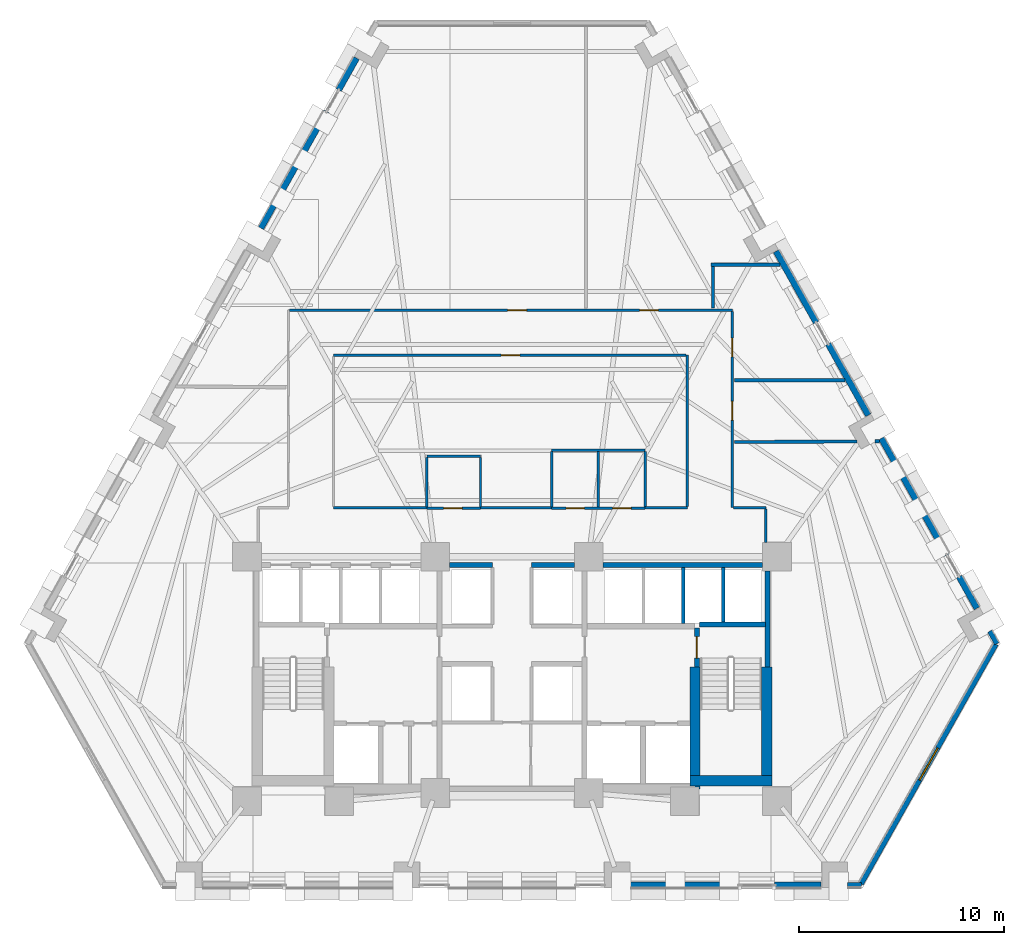
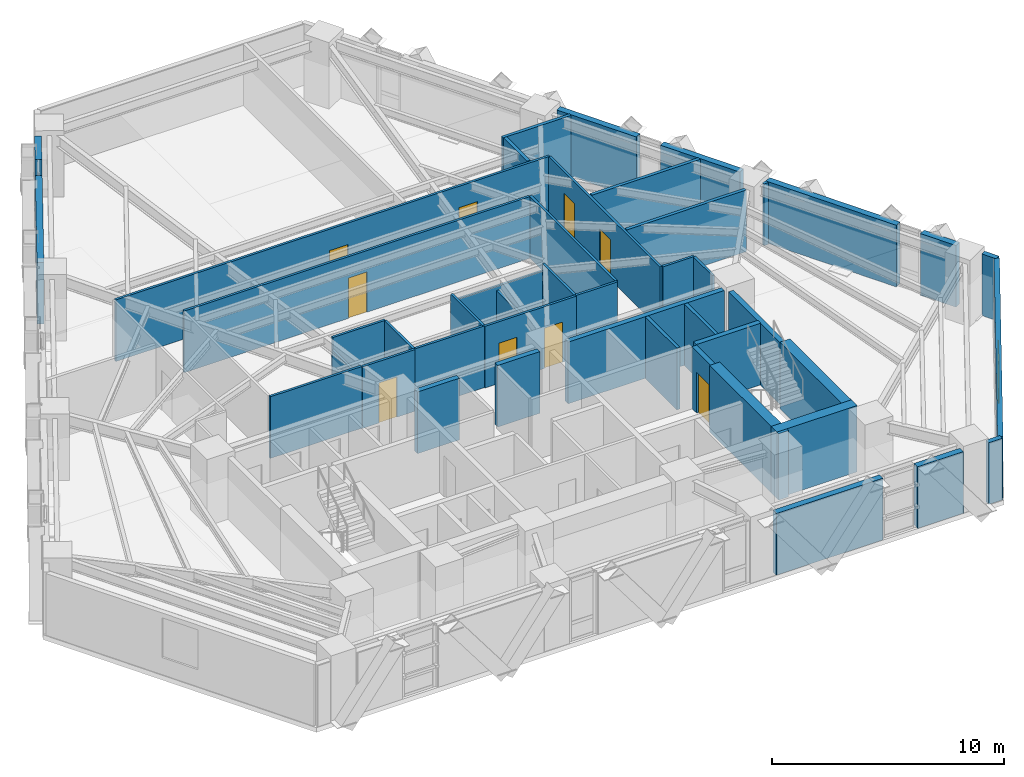
# One storey, part 8 of 13: 45 walls, 9 doors, 1 window, 10 openings.
"""IFC4 building model written with IfcOpenShell, lengths in metres."""

from ifc_helpers import new_model, si_unit, direction, frame, frame_2d, origin, place, context, subcontext, project, spatial, rectangle, extrude, material, layer, layer_set, type_object, element, fill, save


model = new_model("IFC4")

# Units and contexts
model_context = context("Model", 3, precision=1e-05, world=origin(), true_north=direction((0.0, 1.0)))
body_context = subcontext(model_context, "Body", "Model", "MODEL_VIEW")
ifc_project = project(units=[si_unit("LENGTHUNIT", "METRE"), si_unit("AREAUNIT", "SQUARE_METRE"), si_unit("VOLUMEUNIT", "CUBIC_METRE"), si_unit("PLANEANGLEUNIT", "RADIAN"), si_unit("MASSUNIT", "GRAM", prefix="KILO")], contexts=[model_context])

# Site, building, storey
site_placement = place(None, origin())
site = spatial("IfcSite", under=ifc_project, at=site_placement, CompositionType="ELEMENT")
building_placement = place(site_placement, origin())
building = spatial("IfcBuilding", under=site, at=building_placement, Name="Quenlor Broadcast Tower", CompositionType="ELEMENT")
storey_placement = place(building_placement, frame((0.0, 0.0, 48.60009765625)))
storey = spatial("IfcBuildingStorey", under=building, at=storey_placement, Name="L12", CompositionType="ELEMENT", Elevation=48.60009765625)

# Walls
ifc_material_1 = material(Name="Concrete C65/80", Category="concrete")
ifc_layer_1 = layer(ifc_material_1, 0.5)
ifc_layer_set_1 = layer_set([ifc_layer_1], Name="Core Concrete C65/80 Shear Wall 500")
wall_type_1 = type_object("IfcWallType", Name="Core Concrete C65/80 Shear Wall 500", PredefinedType="SHEAR", material=ifc_layer_set_1)
wall_1_placement = place(storey_placement, frame((8.699951171875, -15.75, 0.0), z_axis=(0.0, 0.0, 1.0), x_axis=(1.0, 0.0, 0.0)))
element("IfcWall", 1, at=wall_1_placement, inside=storey, type_object=wall_type_1, Name="L12 Core Shear Wall WS-E2", PredefinedType="SHEAR", context=body_context, shape_type="SweptSolid", body=[
    extrude(rectangle(XDim=4.0, YDim=0.5, at=frame_2d((2.0, 0.0))), origin(), (0.0, 0.0, 1.0), 3.5),
])
wall_2_placement = place(storey_placement, frame((12.449951171875, -15.75, 0.0), z_axis=(0.0, 0.0, 1.0), x_axis=(0.0, 1.0, 0.0)))
element("IfcWall", 2, at=wall_2_placement, inside=storey, type_object=wall_type_1, Name="L12 Core Shear Wall WF-E", PredefinedType="SHEAR", context=body_context, shape_type="SweptSolid", body=[
    extrude(rectangle(XDim=5.550048828125, YDim=0.5, at=frame_2d((2.77490234375, 0.0))), origin(), (0.0, 0.0, 1.0), 3.5),
])
wall_3_placement = place(storey_placement, frame((8.949951171875, -16.14990234375, 0.0), z_axis=(0.0, 0.0, 1.0), x_axis=(0.0, 1.0, 0.0)))
element("IfcWall", 3, at=wall_3_placement, inside=storey, type_object=wall_type_1, Name="L12 Core Shear Wall WI-E", PredefinedType="SHEAR", context=body_context, shape_type="SweptSolid", body=[
    extrude(rectangle(XDim=5.949951171875, YDim=0.5, at=frame_2d((2.97509765625, 0.0))), origin(), (0.0, 0.0, 1.0), 3.5),
])

# Wall, opening, door
ifc_material_2 = material(Name="Concrete C40/50", Category="concrete")
ifc_layer_2 = layer(ifc_material_2, 0.25)
ifc_layer_set_2 = layer_set([ifc_layer_2], Name="Fire Rated Concrete C40/50 Core Wall 250")
wall_type_2 = type_object("IfcWallType", Name="Fire Rated Concrete C40/50 Core Wall 250", PredefinedType="PARTITIONING", material=ifc_layer_set_2)
wall_4_placement = place(storey_placement, frame((9.0400390625, -10.179931640625, 0.0), z_axis=(0.0, 0.0, 1.0), x_axis=(0.0, 1.0, 0.0)))
wall_4 = element("IfcWall", 4, at=wall_4_placement, inside=storey, type_object=wall_type_2, Name="L12 Interior Wall CW-ST2-DR", PredefinedType="PARTITIONING", context=body_context, shape_type="SweptSolid", body=[
    extrude(rectangle(XDim=1.89990234375, YDim=0.25, at=frame_2d((0.949951171875, 0.0))), origin(), (0.0, 0.0, 1.0), 3.25),
])
opening_1_placement = place(wall_4_placement, frame((0.419921875, 0.0, 0.0)))
opening_1 = element("IfcOpeningElement", 5, at=opening_1_placement, cuts=wall_4, Name="Opening FD-1", PredefinedType="OPENING", context=body_context, shape_type="SweptSolid", body=[
    extrude(rectangle(XDim=1.050048828125, YDim=2.14990234375, at=frame_2d((0.52490234375, 1.074951171875))), frame((0.0, 0.135009765625, 0.0), z_axis=(0.0, -1.0, 0.0), x_axis=(1.0, 0.0, 0.0)), (0.0, 0.0, 1.0), 0.27001953125),
])
ifc_material_3 = material(Name="Fire Rated Steel Door Leaf", Category="steel")
door_type_1 = type_object("IfcDoorType", Name="Fire Isolated Stair Door 1050x2150", OperationType="NOTDEFINED", PredefinedType="DOOR", material=ifc_material_3)
door_1_placement = place(opening_1_placement, origin())
door_1 = element("IfcDoor", 6, at=door_1_placement, inside=storey, type_object=door_type_1, Name="L12 Door DR-ST2", OperationType="SINGLE_SWING_RIGHT", OverallHeight=2.14990234375, OverallWidth=1.050048828125, PredefinedType="DOOR", context=body_context, shape_type="SweptSolid", body=[
    extrude(rectangle(XDim=1.050048828125, YDim=2.14990234375, at=frame_2d((0.52490234375, 1.074951171875))), frame((0.0, 0.02490234375, 0.0), z_axis=(0.0, -1.0, 0.0), x_axis=(1.0, 0.0, 0.0)), (0.0, 0.0, 1.0), 0.050048828125),
])
fill(opening_1, door_1)

# Walls
wall_5_placement = place(storey_placement, frame((9.159912109375, -8.1201171875, 0.0), z_axis=(0.0, 0.0, 1.0), x_axis=(1.0, 0.0, 0.0)))
element("IfcWall", 7, at=wall_5_placement, inside=storey, type_object=wall_type_2, Name="L12 Interior Wall CW-ST2-N", PredefinedType="PARTITIONING", context=body_context, shape_type="SweptSolid", body=[
    extrude(rectangle(XDim=3.219970703125, YDim=0.25, at=frame_2d((1.60986328125, 0.0))), origin(), (0.0, 0.0, 1.0), 3.25),
])
wall_6_placement = place(storey_placement, frame((12.47998046875, -10.179931640625, 0.0), z_axis=(0.0, 0.0, 1.0), x_axis=(0.0, 1.0, 0.0)))
element("IfcWall", 8, at=wall_6_placement, inside=storey, type_object=wall_type_2, Name="L12 Interior Wall CW-ST2-E2", PredefinedType="PARTITIONING", context=body_context, shape_type="SweptSolid", body=[
    extrude(rectangle(XDim=4.677978515625, YDim=0.25, at=frame_2d((2.3388671875, 0.0))), origin(), (0.0, 0.0, 1.0), 3.25),
])
wall_7_placement = place(storey_placement, frame((4.451904296875, -5.199951171875, 0.0), z_axis=(0.0, 0.0, 1.0), x_axis=(1.0, 0.0, 0.0)))
element("IfcWall", 9, at=wall_7_placement, inside=storey, type_object=wall_type_2, Name="L12 Interior Wall CW-N-E", PredefinedType="PARTITIONING", context=body_context, shape_type="SweptSolid", body=[
    extrude(rectangle(XDim=7.796142578125, YDim=0.25, at=frame_2d((3.89794921875, 0.0))), origin(), (0.0, 0.0, 1.0), 3.25),
])
for number, where, z_axis, x_axis, name in (
    (10, (-3.048095703125, -5.199951171875, 0.0), (0.0, 0.0, 1.0), (1.0, 0.0, 0.0), "L12 Interior Wall CW-N-M1"),
    (11, (0.949951171875, -5.199951171875, 0.0), (0.0, 0.0, 1.0), (1.0, 0.0, 0.0), "L12 Interior Wall CW-N-M2"),
):
    element("IfcWall", number, at=place(storey_placement, frame(where, z_axis=z_axis, x_axis=x_axis)), inside=storey, type_object=wall_type_2, Name=name, PredefinedType="PARTITIONING", context=body_context, shape_type="SweptSolid", body=[
        extrude(rectangle(XDim=2.09814453125, YDim=0.25, at=frame_2d((1.049072265625, 0.0))), origin(), (0.0, 0.0, 1.0), 3.25),
    ])
ifc_material_4 = material(Name="Gypsum Fireboard Partition", Category="other")
ifc_layer_3 = layer(ifc_material_4, 0.159912109375)
ifc_layer_set_3 = layer_set([ifc_layer_3], Name="Fire Rated Shaft and Corridor Partition 160")
wall_type_3 = type_object("IfcWallType", Name="Fire Rated Shaft and Corridor Partition 160", PredefinedType="PARTITIONING", material=ifc_layer_set_3)
wall_8_placement = place(storey_placement, frame((8.375, -8.072998046875, 0.0), z_axis=(0.0, 0.0, 1.0), x_axis=(0.0, 1.0, 0.0)))
element("IfcWall", 12, at=wall_8_placement, inside=storey, type_object=wall_type_3, Name="L12 Interior Wall CW-PLH-D2", PredefinedType="PARTITIONING", context=body_context, shape_type="SweptSolid", body=[
    extrude(rectangle(XDim=2.73291015625, YDim=0.159912109375, at=frame_2d((1.366455078125, 0.0))), origin(), (0.0, 0.0, 1.0), 3.25),
])
wall_9_placement = place(storey_placement, frame((10.324951171875, -7.992919921875, 0.0), z_axis=(0.0, 0.0, 1.0), x_axis=(0.0, 1.0, 0.0)))
element("IfcWall", 13, at=wall_9_placement, inside=storey, type_object=wall_type_3, Name="L12 Interior Wall CW-PLH-D3", PredefinedType="PARTITIONING", context=body_context, shape_type="SweptSolid", body=[
    extrude(rectangle(XDim=2.65283203125, YDim=0.159912109375, at=frame_2d((1.326416015625, 0.0))), origin(), (0.0, 0.0, 1.0), 3.25),
])
wall_10_placement = place(storey_placement, frame((13.102783203125, 9.4697265625, 0.0), z_axis=(0.0, 0.0, 1.0), x_axis=(-0.999999333295, 0.001154733641, 0.0)))
element("IfcWall", 14, at=wall_10_placement, inside=storey, type_object=wall_type_3, Name="L12 Interior Wall PW-DV-02", PredefinedType="PARTITIONING", context=body_context, shape_type="SweptSolid", body=[
    extrude(rectangle(XDim=3.3828125, YDim=0.159912109375, at=frame_2d((1.69140625, 0.0))), origin(), (0.0, 0.0, 1.0), 3.25),
])
wall_11_placement = place(storey_placement, frame((9.820068359375, 9.3916015625, 0.0), z_axis=(0.0, 0.0, 1.0), x_axis=(0.0, -1.0, 0.0)))
element("IfcWall", 15, at=wall_11_placement, inside=storey, type_object=wall_type_3, Name="L12 Interior Wall PW-DV-03", PredefinedType="PARTITIONING", context=body_context, shape_type="SweptSolid", body=[
    extrude(rectangle(XDim=2.031494140625, YDim=0.159912109375, at=frame_2d((1.015625, 0.0))), origin(), (0.0, 0.0, 1.0), 3.25),
])
wall_12_placement = place(storey_placement, frame((16.28076171875, 3.820068359375, 0.0), z_axis=(0.0, 0.0, 1.0), x_axis=(-1.0, 0.0, 0.0)))
element("IfcWall", 16, at=wall_12_placement, inside=storey, type_object=wall_type_3, Name="L12 Interior Wall PW-DV-05", PredefinedType="PARTITIONING", context=body_context, shape_type="SweptSolid", body=[
    extrude(rectangle(XDim=5.395751953125, YDim=0.159912109375, at=frame_2d((2.69775390625, 0.0))), origin(), (0.0, 0.0, 1.0), 3.25),
])
wall_13_placement = place(storey_placement, frame((17.95751953125, 0.83935546875, 0.0), z_axis=(0.0, 0.0, 1.0), x_axis=(-0.999984076732, -0.005643250997, 0.0)))
element("IfcWall", 17, at=wall_13_placement, inside=storey, type_object=wall_type_3, Name="L12 Interior Wall PW-DV-06", PredefinedType="PARTITIONING", context=body_context, shape_type="SweptSolid", body=[
    extrude(rectangle(XDim=0.21630859375, YDim=0.159912109375, at=frame_2d((0.108154296875, 0.0))), origin(), (0.0, 0.0, 1.0), 3.25),
])
wall_14_placement = place(storey_placement, frame((16.853515625, 0.83349609375, 0.0), z_axis=(0.0, 0.0, 1.0), x_axis=(-0.999984753279, -0.005522065762, 0.0)))
element("IfcWall", 18, at=wall_14_placement, inside=storey, type_object=wall_type_3, Name="L12 Interior Wall PW-DV-06S2", PredefinedType="PARTITIONING", context=body_context, shape_type="SweptSolid", body=[
    extrude(rectangle(XDim=5.968505859375, YDim=0.159912109375, at=frame_2d((2.984375, 0.0))), origin(), (0.0, 0.0, 1.0), 3.25),
])

# Wall, opening, door
ifc_material_5 = material(Name="Gypsum Plasterboard Partition", Category="other")
ifc_layer_4 = layer(ifc_material_5, 0.1201171875)
ifc_layer_set_4 = layer_set([ifc_layer_4], Name="Standard Office Partition 120")
wall_type_4 = type_object("IfcWallType", Name="Standard Office Partition 120", PredefinedType="PARTITIONING", material=ifc_layer_set_4)
wall_15_placement = place(storey_placement, frame((-4.159912109375, -2.43994140625, 0.0), z_axis=(0.0, 0.0, 1.0), x_axis=(1.0, 0.0, 0.0)))
wall_15 = element("IfcWall", 19, at=wall_15_placement, inside=storey, type_object=wall_type_4, Name="L12 Interior Wall PW-AWC-S", PredefinedType="PARTITIONING", context=body_context, shape_type="SweptSolid", body=[
    extrude(rectangle(XDim=2.619873046875, YDim=0.1201171875, at=frame_2d((1.31005859375, 0.0))), origin(), (0.0, 0.0, 1.0), 3.25),
])
opening_2_placement = place(wall_15_placement, frame((0.820068359375, 0.0, 0.0)))
opening_2 = element("IfcOpeningElement", 20, at=opening_2_placement, cuts=wall_15, Name="Opening ID-3", PredefinedType="OPENING", context=body_context, shape_type="SweptSolid", body=[
    extrude(rectangle(XDim=0.89990234375, YDim=2.1201171875, at=frame_2d((0.449951171875, 1.06005859375))), frame((0.0, 0.070068359375, 0.0), z_axis=(0.0, -1.0, 0.0), x_axis=(1.0, 0.0, 0.0)), (0.0, 0.0, 1.0), 0.14013671875),
])
ifc_material_6 = material(Name="Moisture Resistant Timber Oak", Category="wood")
door_type_2 = type_object("IfcDoorType", Name="Washroom Privacy Door 900x2120", OperationType="NOTDEFINED", PredefinedType="DOOR", material=ifc_material_6)
door_2_placement = place(opening_2_placement, origin())
door_2 = element("IfcDoor", 21, at=door_2_placement, inside=storey, type_object=door_type_2, Name="L12 Door DR-AWC", OperationType="SINGLE_SWING_LEFT", OverallHeight=2.1201171875, OverallWidth=0.89990234375, PredefinedType="DOOR", context=body_context, shape_type="SweptSolid", body=[
    extrude(rectangle(XDim=0.89990234375, YDim=2.1201171875, at=frame_2d((0.449951171875, 1.06005859375))), frame((0.0, 0.02490234375, 0.0), z_axis=(0.0, -1.0, 0.0), x_axis=(1.0, 0.0, 0.0)), (0.0, 0.0, 1.0), 0.050048828125),
])
fill(opening_2, door_2)

# Walls
wall_16_placement = place(storey_placement, frame((-4.159912109375, 0.110107421875, 0.0), z_axis=(0.0, 0.0, 1.0), x_axis=(1.0, 0.0, 0.0)))
element("IfcWall", 22, at=wall_16_placement, inside=storey, type_object=wall_type_4, Name="L12 Interior Wall PW-AWC-N", PredefinedType="PARTITIONING", context=body_context, shape_type="SweptSolid", body=[
    extrude(rectangle(XDim=2.619873046875, YDim=0.1201171875, at=frame_2d((1.31005859375, 0.0))), origin(), (0.0, 0.0, 1.0), 3.25),
])
wall_17_placement = place(storey_placement, frame((-4.159912109375, -2.3779296875, 0.0), z_axis=(0.0, 0.0, 1.0), x_axis=(0.0, 1.0, 0.0)))
element("IfcWall", 23, at=wall_17_placement, inside=storey, type_object=wall_type_4, Name="L12 Interior Wall PW-AWC-W", PredefinedType="PARTITIONING", context=body_context, shape_type="SweptSolid", body=[
    extrude(rectangle(XDim=2.426025390625, YDim=0.1201171875, at=frame_2d((1.212890625, 0.0))), origin(), (0.0, 0.0, 1.0), 2.63818359375),
])
wall_18_placement = place(storey_placement, frame((-1.5400390625, -2.3779296875, 0.0), z_axis=(0.0, 0.0, 1.0), x_axis=(0.0, 1.0, 0.0)))
element("IfcWall", 24, at=wall_18_placement, inside=storey, type_object=wall_type_4, Name="L12 Interior Wall PW-AWC-E", PredefinedType="PARTITIONING", context=body_context, shape_type="SweptSolid", body=[
    extrude(rectangle(XDim=2.426025390625, YDim=0.1201171875, at=frame_2d((1.212890625, 0.0))), origin(), (0.0, 0.0, 1.0), 3.25),
])

# Wall, openings, doors
wall_19_placement = place(storey_placement, frame((1.93994140625, -2.43994140625, 0.0), z_axis=(0.0, 0.0, 1.0), x_axis=(1.0, 0.0, 0.0)))
wall_19 = element("IfcWall", 25, at=wall_19_placement, inside=storey, type_object=wall_type_4, Name="L12 Interior Wall PW-WC-S", PredefinedType="PARTITIONING", context=body_context, shape_type="SweptSolid", body=[
    extrude(rectangle(XDim=4.570068359375, YDim=0.1201171875, at=frame_2d((2.28515625, 0.0))), origin(), (0.0, 0.0, 1.0), 3.25),
])
opening_3_placement = place(wall_19_placement, frame((0.699951171875, 0.0, 0.0)))
opening_3 = element("IfcOpeningElement", 26, at=opening_3_placement, cuts=wall_19, Name="Opening ID-3", PredefinedType="OPENING", context=body_context, shape_type="SweptSolid", body=[
    extrude(rectangle(XDim=0.89990234375, YDim=2.1201171875, at=frame_2d((0.449951171875, 1.06005859375))), frame((0.0, 0.070068359375, 0.0), z_axis=(0.0, -1.0, 0.0), x_axis=(1.0, 0.0, 0.0)), (0.0, 0.0, 1.0), 0.14013671875),
])
opening_4_placement = place(wall_19_placement, frame((2.97998046875, 0.0, 0.0)))
opening_4 = element("IfcOpeningElement", 27, at=opening_4_placement, cuts=wall_19, Name="Opening ID-3", PredefinedType="OPENING", context=body_context, shape_type="SweptSolid", body=[
    extrude(rectangle(XDim=0.89990234375, YDim=2.1201171875, at=frame_2d((0.449951171875, 1.06005859375))), frame((0.0, 0.070068359375, 0.0), z_axis=(0.0, -1.0, 0.0), x_axis=(1.0, 0.0, 0.0)), (0.0, 0.0, 1.0), 0.14013671875),
])
door_3_placement = place(opening_3_placement, origin())
door_3 = element("IfcDoor", 28, at=door_3_placement, inside=storey, type_object=door_type_2, Name="L12 Door DR-MWC", OperationType="SINGLE_SWING_LEFT", OverallHeight=2.1201171875, OverallWidth=0.89990234375, PredefinedType="DOOR", context=body_context, shape_type="SweptSolid", body=[
    extrude(rectangle(XDim=0.89990234375, YDim=2.1201171875, at=frame_2d((0.449951171875, 1.06005859375))), frame((0.0, 0.02490234375, 0.0), z_axis=(0.0, -1.0, 0.0), x_axis=(1.0, 0.0, 0.0)), (0.0, 0.0, 1.0), 0.050048828125),
])
fill(opening_3, door_3)
door_4_placement = place(opening_4_placement, origin())
door_4 = element("IfcDoor", 29, at=door_4_placement, inside=storey, type_object=door_type_2, Name="L12 Door DR-FWC", OperationType="SINGLE_SWING_RIGHT", OverallHeight=2.1201171875, OverallWidth=0.89990234375, PredefinedType="DOOR", context=body_context, shape_type="SweptSolid", body=[
    extrude(rectangle(XDim=0.89990234375, YDim=2.1201171875, at=frame_2d((0.449951171875, 1.06005859375))), frame((0.0, 0.02490234375, 0.0), z_axis=(0.0, -1.0, 0.0), x_axis=(1.0, 0.0, 0.0)), (0.0, 0.0, 1.0), 0.050048828125),
])
fill(opening_4, door_4)

# Walls
wall_20_placement = place(storey_placement, frame((1.93994140625, 0.409912109375, 0.0), z_axis=(0.0, 0.0, 1.0), x_axis=(1.0, 0.0, 0.0)))
element("IfcWall", 30, at=wall_20_placement, inside=storey, type_object=wall_type_4, Name="L12 Interior Wall PW-WC-N", PredefinedType="PARTITIONING", context=body_context, shape_type="SweptSolid", body=[
    extrude(rectangle(XDim=4.570068359375, YDim=0.1201171875, at=frame_2d((2.28515625, 0.0))), origin(), (0.0, 0.0, 1.0), 2.843505859375),
])
wall_21_placement = place(storey_placement, frame((1.93994140625, -2.3779296875, 0.0), z_axis=(0.0, 0.0, 1.0), x_axis=(0.0, 1.0, 0.0)))
element("IfcWall", 31, at=wall_21_placement, inside=storey, type_object=wall_type_4, Name="L12 Interior Wall PW-WC-W", PredefinedType="PARTITIONING", context=body_context, shape_type="SweptSolid", body=[
    extrude(rectangle(XDim=2.725830078125, YDim=0.1201171875, at=frame_2d((1.36279296875, 0.0))), origin(), (0.0, 0.0, 1.0), 3.25),
])
wall_22_placement = place(storey_placement, frame((4.219970703125, -2.3779296875, 0.0), z_axis=(0.0, 0.0, 1.0), x_axis=(0.0, 1.0, 0.0)))
element("IfcWall", 32, at=wall_22_placement, inside=storey, type_object=wall_type_4, Name="L12 Interior Wall PW-WC-M", PredefinedType="PARTITIONING", context=body_context, shape_type="SweptSolid", body=[
    extrude(rectangle(XDim=2.725830078125, YDim=0.1201171875, at=frame_2d((1.36279296875, 0.0))), origin(), (0.0, 0.0, 1.0), 2.63818359375),
])
wall_23_placement = place(storey_placement, frame((6.510009765625, -2.3779296875, 0.0), z_axis=(0.0, 0.0, 1.0), x_axis=(0.0, 1.0, 0.0)))
element("IfcWall", 33, at=wall_23_placement, inside=storey, type_object=wall_type_4, Name="L12 Interior Wall PW-WC-E", PredefinedType="PARTITIONING", context=body_context, shape_type="SweptSolid", body=[
    extrude(rectangle(XDim=2.725830078125, YDim=0.1201171875, at=frame_2d((1.36279296875, 0.0))), origin(), (0.0, 0.0, 1.0), 3.25),
])

# Wall, openings, doors
wall_24_placement = place(storey_placement, frame((-10.863037109375, 7.25, 0.0), z_axis=(0.0, 0.0, 1.0), x_axis=(1.0, 0.0, 0.0)))
wall_24 = element("IfcWall", 34, at=wall_24_placement, inside=storey, type_object=wall_type_4, Name="L12 Interior Wall PW-CR-03", PredefinedType="PARTITIONING", context=body_context, shape_type="SweptSolid", body=[
    extrude(rectangle(XDim=21.637939453125, YDim=0.1201171875, at=frame_2d((10.81884765625, 0.0))), origin(), (0.0, 0.0, 1.0), 3.25),
])
opening_5_placement = place(wall_24_placement, frame((10.653076171875, 0.0, 0.0)))
opening_5 = element("IfcOpeningElement", 35, at=opening_5_placement, cuts=wall_24, Name="Opening ID-1", PredefinedType="OPENING", context=body_context, shape_type="SweptSolid", body=[
    extrude(rectangle(XDim=0.919921875, YDim=2.1201171875, at=frame_2d((0.4599609375, 1.06005859375))), frame((0.0, 0.070068359375, 0.0), z_axis=(0.0, -1.0, 0.0), x_axis=(1.0, 0.0, 0.0)), (0.0, 0.0, 1.0), 0.14013671875),
])
opening_6_placement = place(wall_24_placement, frame((17.10302734375, 0.0, 0.0)))
opening_6 = element("IfcOpeningElement", 36, at=opening_6_placement, cuts=wall_24, Name="Opening ID-1", PredefinedType="OPENING", context=body_context, shape_type="SweptSolid", body=[
    extrude(rectangle(XDim=0.919921875, YDim=2.1201171875, at=frame_2d((0.4599609375, 1.06005859375))), frame((0.0, 0.070068359375, 0.0), z_axis=(0.0, -1.0, 0.0), x_axis=(1.0, 0.0, 0.0)), (0.0, 0.0, 1.0), 0.14013671875),
])
ifc_material_7 = material(Name="Solid Core Timber Oak", Category="wood")
door_type_3 = type_object("IfcDoorType", Name="Single Leaf Timber Office Door 920x2120", OperationType="NOTDEFINED", PredefinedType="DOOR", material=ifc_material_7)
door_5_placement = place(opening_5_placement, origin())
door_5 = element("IfcDoor", 37, at=door_5_placement, inside=storey, type_object=door_type_3, Name="L12 Door DR-RM01", OperationType="SINGLE_SWING_RIGHT", OverallHeight=2.1201171875, OverallWidth=0.919921875, PredefinedType="DOOR", context=body_context, shape_type="SweptSolid", body=[
    extrude(rectangle(XDim=0.919921875, YDim=2.1201171875, at=frame_2d((0.4599609375, 1.06005859375))), frame((0.0, 0.02490234375, 0.0), z_axis=(0.0, -1.0, 0.0), x_axis=(1.0, 0.0, 0.0)), (0.0, 0.0, 1.0), 0.050048828125),
])
fill(opening_5, door_5)
door_6_placement = place(opening_6_placement, origin())
door_6 = element("IfcDoor", 38, at=door_6_placement, inside=storey, type_object=door_type_3, Name="L12 Door DR-RM02", OperationType="SINGLE_SWING_LEFT", OverallHeight=2.1201171875, OverallWidth=0.919921875, PredefinedType="DOOR", context=body_context, shape_type="SweptSolid", body=[
    extrude(rectangle(XDim=0.919921875, YDim=2.1201171875, at=frame_2d((0.4599609375, 1.06005859375))), frame((0.0, 0.02490234375, 0.0), z_axis=(0.0, -1.0, 0.0), x_axis=(1.0, 0.0, 0.0)), (0.0, 0.0, 1.0), 0.050048828125),
])
fill(opening_6, door_6)

wall_25_placement = place(storey_placement, frame((10.77490234375, 7.18798828125, 0.0), z_axis=(0.0, 0.0, 1.0), x_axis=(0.0, -1.0, 0.0)))
wall_25 = element("IfcWall", 39, at=wall_25_placement, inside=storey, type_object=wall_type_4, Name="L12 Interior Wall PW-CR-04", PredefinedType="PARTITIONING", context=body_context, shape_type="SweptSolid", body=[
    extrude(rectangle(XDim=9.587890625, YDim=0.1201171875, at=frame_2d((4.7939453125, 0.0))), origin(), (0.0, 0.0, 1.0), 3.25),
])
opening_7_placement = place(wall_25_placement, frame((1.302001953125, 0.0, 0.0)))
opening_7 = element("IfcOpeningElement", 40, at=opening_7_placement, cuts=wall_25, Name="Opening ID-1", PredefinedType="OPENING", context=body_context, shape_type="SweptSolid", body=[
    extrude(rectangle(XDim=0.919921875, YDim=2.1201171875, at=frame_2d((0.4599609375, 1.06005859375))), frame((0.0, 0.070068359375, 0.0), z_axis=(0.0, -1.0, 0.0), x_axis=(1.0, 0.0, 0.0)), (0.0, 0.0, 1.0), 0.14013671875),
])
opening_8_placement = place(wall_25_placement, frame((4.39794921875, 0.0, 0.0)))
opening_8 = element("IfcOpeningElement", 41, at=opening_8_placement, cuts=wall_25, Name="Opening ID-1", PredefinedType="OPENING", context=body_context, shape_type="SweptSolid", body=[
    extrude(rectangle(XDim=0.919921875, YDim=2.1201171875, at=frame_2d((0.4599609375, 1.06005859375))), frame((0.0, 0.070068359375, 0.0), z_axis=(0.0, -1.0, 0.0), x_axis=(1.0, 0.0, 0.0)), (0.0, 0.0, 1.0), 0.14013671875),
])
door_7_placement = place(opening_7_placement, origin())
door_7 = element("IfcDoor", 42, at=door_7_placement, inside=storey, type_object=door_type_3, Name="L12 Door DR-RM04", OperationType="SINGLE_SWING_LEFT", OverallHeight=2.1201171875, OverallWidth=0.919921875, PredefinedType="DOOR", context=body_context, shape_type="SweptSolid", body=[
    extrude(rectangle(XDim=0.919921875, YDim=2.1201171875, at=frame_2d((0.4599609375, 1.06005859375))), frame((0.0, 0.02490234375, 0.0), z_axis=(0.0, -1.0, 0.0), x_axis=(1.0, 0.0, 0.0)), (0.0, 0.0, 1.0), 0.050048828125),
])
fill(opening_7, door_7)
door_8_placement = place(opening_8_placement, origin())
door_8 = element("IfcDoor", 43, at=door_8_placement, inside=storey, type_object=door_type_3, Name="L12 Door DR-RM06", OperationType="SINGLE_SWING_LEFT", OverallHeight=2.1201171875, OverallWidth=0.919921875, PredefinedType="DOOR", context=body_context, shape_type="SweptSolid", body=[
    extrude(rectangle(XDim=0.919921875, YDim=2.1201171875, at=frame_2d((0.4599609375, 1.06005859375))), frame((0.0, 0.02490234375, 0.0), z_axis=(0.0, -1.0, 0.0), x_axis=(1.0, 0.0, 0.0)), (0.0, 0.0, 1.0), 0.050048828125),
])
fill(opening_8, door_8)

# Walls
wall_26_placement = place(storey_placement, frame((10.8369140625, -2.39990234375, 0.0), z_axis=(0.0, 0.0, 1.0), x_axis=(1.0, 0.0, 0.0)))
element("IfcWall", 44, at=wall_26_placement, inside=storey, type_object=wall_type_4, Name="L12 Interior Wall PW-CR-05", PredefinedType="PARTITIONING", context=body_context, shape_type="SweptSolid", body=[
    extrude(rectangle(XDim=1.572998046875, YDim=0.1201171875, at=frame_2d((0.78662109375, 0.0))), origin(), (0.0, 0.0, 1.0), 3.25),
])
wall_27_placement = place(storey_placement, frame((12.409912109375, -2.4619140625, 0.0), z_axis=(0.0, 0.0, 1.0), x_axis=(0.0, -1.0, 0.0)))
element("IfcWall", 45, at=wall_27_placement, inside=storey, type_object=wall_type_4, Name="L12 Interior Wall PW-CR-06", PredefinedType="PARTITIONING", context=body_context, shape_type="SweptSolid", body=[
    extrude(rectangle(XDim=1.635986328125, YDim=0.1201171875, at=frame_2d((0.81787109375, 0.0))), origin(), (0.0, 0.0, 1.0), 3.25),
])
wall_28_placement = place(storey_placement, frame((-8.72509765625, -2.39990234375, 0.0), z_axis=(0.0, 0.0, 1.0), x_axis=(1.0, 0.0, 0.0)))
element("IfcWall", 46, at=wall_28_placement, inside=storey, type_object=wall_type_4, Name="L12 Interior Wall PW-CR-08", PredefinedType="PARTITIONING", context=body_context, shape_type="SweptSolid", body=[
    extrude(rectangle(XDim=4.56298828125, YDim=0.1201171875, at=frame_2d((2.281494140625, 0.0))), origin(), (0.0, 0.0, 1.0), 3.25),
])
wall_29_placement = place(storey_placement, frame((-1.5380859375, -2.39990234375, 0.0), z_axis=(0.0, 0.0, 1.0), x_axis=(1.0, 0.0, 0.0)))
element("IfcWall", 47, at=wall_29_placement, inside=storey, type_object=wall_type_4, Name="L12 Interior Wall PW-CR-08S2", PredefinedType="PARTITIONING", context=body_context, shape_type="SweptSolid", body=[
    extrude(rectangle(XDim=3.47607421875, YDim=0.1201171875, at=frame_2d((1.738037109375, 0.0))), origin(), (0.0, 0.0, 1.0), 3.25),
])
wall_30_placement = place(storey_placement, frame((6.511962890625, -2.39990234375, 0.0), z_axis=(0.0, 0.0, 1.0), x_axis=(1.0, 0.0, 0.0)))
element("IfcWall", 48, at=wall_30_placement, inside=storey, type_object=wall_type_4, Name="L12 Interior Wall PW-CR-08S3", PredefinedType="PARTITIONING", context=body_context, shape_type="SweptSolid", body=[
    extrude(rectangle(XDim=2.06298828125, YDim=0.1201171875, at=frame_2d((1.031494140625, 0.0))), origin(), (0.0, 0.0, 1.0), 3.25),
])
wall_31_placement = place(storey_placement, frame((8.574951171875, -2.337890625, 0.0), z_axis=(0.0, 0.0, 1.0), x_axis=(0.0, 1.0, 0.0)))
element("IfcWall", 49, at=wall_31_placement, inside=storey, type_object=wall_type_4, Name="L12 Interior Wall PW-CR-09", PredefinedType="PARTITIONING", context=body_context, shape_type="SweptSolid", body=[
    extrude(rectangle(XDim=7.387939453125, YDim=0.1201171875, at=frame_2d((3.69384765625, 0.0))), origin(), (0.0, 0.0, 1.0), 3.25),
])

# Wall, opening, door
wall_32_placement = place(storey_placement, frame((8.512939453125, 5.050048828125, 0.0), z_axis=(0.0, 0.0, 1.0), x_axis=(-1.0, 0.0, 0.0)))
wall_32 = element("IfcWall", 50, at=wall_32_placement, inside=storey, type_object=wall_type_4, Name="L12 Interior Wall PW-CR-10", PredefinedType="PARTITIONING", context=body_context, shape_type="SweptSolid", body=[
    extrude(rectangle(XDim=17.238037109375, YDim=0.1201171875, at=frame_2d((8.619140625, 0.0))), origin(), (0.0, 0.0, 1.0), 3.25),
])
opening_9_placement = place(wall_32_placement, frame((8.1279296875, 0.0, 0.0)))
opening_9 = element("IfcOpeningElement", 51, at=opening_9_placement, cuts=wall_32, Name="Opening ID-1", PredefinedType="OPENING", context=body_context, shape_type="SweptSolid", body=[
    extrude(rectangle(XDim=0.919921875, YDim=2.1201171875, at=frame_2d((0.4599609375, 1.06005859375))), frame((0.0, 0.070068359375, 0.0), z_axis=(0.0, -1.0, 0.0), x_axis=(1.0, 0.0, 0.0)), (0.0, 0.0, 1.0), 0.14013671875),
])
door_9_placement = place(opening_9_placement, origin())
door_9 = element("IfcDoor", 52, at=door_9_placement, inside=storey, type_object=door_type_3, Name="L12 Door DR-RM07", OperationType="SINGLE_SWING_RIGHT", OverallHeight=2.1201171875, OverallWidth=0.919921875, PredefinedType="DOOR", context=body_context, shape_type="SweptSolid", body=[
    extrude(rectangle(XDim=0.919921875, YDim=2.1201171875, at=frame_2d((0.4599609375, 1.06005859375))), frame((0.0, 0.02490234375, 0.0), z_axis=(0.0, -1.0, 0.0), x_axis=(1.0, 0.0, 0.0)), (0.0, 0.0, 1.0), 0.050048828125),
])
fill(opening_9, door_9)

# Walls
ifc_material_8 = material(Name="Precast concrete C40/50", Category="concrete")
ifc_layer_5 = layer(ifc_material_8, 0.239990234375)
ifc_layer_set_5 = layer_set([ifc_layer_5], Name="Terrace Threshold Precast Concrete C40/50 Wall 240")
wall_type_5 = type_object("IfcWallType", Name="Terrace Threshold Precast Concrete C40/50 Wall 240", PredefinedType="STANDARD", material=ifc_layer_set_5)
wall_33_placement = place(storey_placement, frame((17.075927734375, -20.840087890625, 0.0), z_axis=(0.0, 0.0, 1.0), x_axis=(-1.0, 0.0, 0.0)))
element("IfcWall", 53, at=wall_33_placement, inside=storey, type_object=wall_type_5, Name="L12 Exterior Wall L12-SHD-SS0", PredefinedType="STANDARD", context=body_context, shape_type="SweptSolid", body=[
    extrude(rectangle(XDim=0.680908203125, YDim=0.239990234375, at=frame_2d((0.34033203125, 0.0))), origin(), (0.0, 0.0, 1.0), 3.25),
])
wall_34_placement = place(storey_placement, frame((23.351806640625, -8.44091796875, 0.0), z_axis=(0.0, 0.0, 1.0), x_axis=(0.490523074758, -0.871428203084, 0.0)))
element("IfcWall", 54, at=wall_34_placement, inside=storey, type_object=wall_type_5, Name="L12 Exterior Wall L12-SHD-NES1", PredefinedType="STANDARD", context=body_context, shape_type="SweptSolid", body=[
    extrude(rectangle(XDim=0.708251953125, YDim=0.239990234375, at=frame_2d((0.35400390625, 0.0))), origin(), (0.0, 0.0, 1.0), 3.25),
])

# Wall, opening, window
wall_35_placement = place(storey_placement, frame((17.06689453125, -20.79638671875, 0.0), z_axis=(0.0, 0.0, 1.0), x_axis=(0.490268135177, 0.871571658345, 0.0)))
wall_35 = element("IfcWall", 55, at=wall_35_placement, inside=storey, type_object=wall_type_5, Name="L12 Exterior Wall L12-CNR-06", PredefinedType="STANDARD", context=body_context, shape_type="SweptSolid", body=[
    extrude(rectangle(XDim=13.44775390625, YDim=0.239990234375, at=frame_2d((6.723876953125, 0.0))), origin(), (0.0, 0.0, 1.0), 3.25),
])
opening_10_placement = place(wall_35_placement, frame((5.823974609375, 0.0, 0.89990234375)))
opening_10 = element("IfcOpeningElement", 56, at=opening_10_placement, cuts=wall_35, Name="Opening WN-1", PredefinedType="OPENING", context=body_context, shape_type="SweptSolid", body=[
    extrude(rectangle(XDim=1.800048828125, YDim=2.10009765625, at=frame_2d((0.89990234375, 1.050048828125))), frame((0.0, 0.1298828125, 0.0), z_axis=(0.0, -1.0, 0.0), x_axis=(1.0, 0.0, 0.0)), (0.0, 0.0, 1.0), 0.260009765625),
])
ifc_material_9 = material(Name="Thermally Broken Aluminium and Low-E Glass", Category="aluminium")
window_type = type_object("IfcWindowType", Name="Tower Acoustic Vision Window 1800x2100", PartitioningType="SINGLE_PANEL", PredefinedType="WINDOW", material=ifc_material_9)
window_placement = place(opening_10_placement, origin())
window = element("IfcWindow", 57, at=window_placement, inside=storey, type_object=window_type, Name="L12 Corner Chamfer Window 6", OverallHeight=2.10009765625, OverallWidth=1.800048828125, PartitioningType="SINGLE_PANEL", PredefinedType="WINDOW", context=body_context, shape_type="SweptSolid", body=[
    extrude(rectangle(XDim=1.800048828125, YDim=2.10009765625, at=frame_2d((0.89990234375, 1.050048828125))), frame((0.0, 0.030029296875, 0.0), z_axis=(0.0, -1.0, 0.0), x_axis=(1.0, 0.0, 0.0)), (0.0, 0.0, 1.0), 0.06005859375),
])
fill(opening_10, window)

# Walls
ifc_material_10 = material(Name="Precast concrete C40/50", Category="concrete")
ifc_layer_6 = layer(ifc_material_10, 0.300048828125)
ifc_layer_set_6 = layer_set([ifc_layer_6], Name="Terracotta Precast Concrete C40/50 Spandrel Wall 300")
wall_type_6 = type_object("IfcWallType", Name="Terracotta Precast Concrete C40/50 Spandrel Wall 300", PredefinedType="STANDARD", material=ifc_layer_set_6)
wall_36_placement = place(storey_placement, frame((15.114990234375, -20.840087890625, 0.0), z_axis=(0.0, 0.0, 1.0), x_axis=(-1.0, 0.0, 0.0)))
element("IfcWall", 58, at=wall_36_placement, inside=storey, type_object=wall_type_6, Name="L12 Exterior Wall L12-SA-SP1", PredefinedType="STANDARD", context=body_context, shape_type="SweptSolid", body=[
    extrude(rectangle(XDim=2.280029296875, YDim=0.300048828125, at=frame_2d((1.14013671875, 0.0))), origin(), (0.0, 0.0, 1.0), 3.25),
])
wall_37_placement = place(storey_placement, frame((11.106689453125, -20.840087890625, 0.0), z_axis=(0.0, 0.0, 1.0), x_axis=(-1.0, 0.0, 0.0)))
element("IfcWall", 59, at=wall_37_placement, inside=storey, type_object=wall_type_6, Name="L12 Exterior Wall L12-SA-SP2", PredefinedType="STANDARD", context=body_context, shape_type="SweptSolid", body=[
    extrude(rectangle(XDim=5.31591796875, YDim=0.300048828125, at=frame_2d((2.657958984375, 0.0))), origin(), (0.0, 0.0, 1.0), 3.25),
])
wall_38_placement = place(storey_placement, frame((18.049560546875, 0.985595703125, 0.0), z_axis=(0.0, 0.0, 1.0), x_axis=(0.490245297262, -0.871584504516, 0.0)))
element("IfcWall", 60, at=wall_38_placement, inside=storey, type_object=wall_type_6, Name="L12 Exterior Wall L12-NEC-SP1", PredefinedType="STANDARD", context=body_context, shape_type="SweptSolid", body=[
    extrude(rectangle(XDim=6.543701171875, YDim=0.300048828125, at=frame_2d((3.27197265625, 0.0))), origin(), (0.0, 0.0, 1.0), 3.25),
])
wall_39_placement = place(storey_placement, frame((21.8505859375, -5.771728515625, 0.0), z_axis=(0.0, 0.0, 1.0), x_axis=(0.490241729391, -0.871586511348, 0.0)))
element("IfcWall", 61, at=wall_39_placement, inside=storey, type_object=wall_type_6, Name="L12 Exterior Wall L12-NEC-SP2", PredefinedType="STANDARD", context=body_context, shape_type="SweptSolid", body=[
    extrude(rectangle(XDim=1.7822265625, YDim=0.300048828125, at=frame_2d((0.89111328125, 0.0))), origin(), (0.0, 0.0, 1.0), 3.25),
])
for number, where, z_axis, x_axis, name in (
    (62, (12.90625, 10.12890625, 0.0), (0.0, 0.0, 1.0), (0.49028736482, -0.871560841191, 0.0), "L12 Exterior Wall L12-NE-SP1"),
    (63, (15.45703125, 5.594482421875, 0.0), (0.0, 0.0, 1.0), (0.49028736482, -0.871560841191, 0.0), "L12 Exterior Wall L12-NE-SP2"),
):
    element("IfcWall", number, at=place(storey_placement, frame(where, z_axis=z_axis, x_axis=x_axis)), inside=storey, type_object=wall_type_6, Name=name, PredefinedType="STANDARD", context=body_context, shape_type="SweptSolid", body=[
        extrude(rectangle(XDim=3.9931640625, YDim=0.300048828125, at=frame_2d((1.99658203125, 0.0))), origin(), (0.0, 0.0, 1.0), 3.25),
    ])
wall_40_placement = place(storey_placement, frame((-12.271484375, 11.2578125, 0.0), z_axis=(0.0, 0.0, 1.0), x_axis=(0.490261239633, 0.871575537125, 0.0)))
element("IfcWall", 64, at=wall_40_placement, inside=storey, type_object=wall_type_6, Name="L12 Exterior Wall L12-NWC-SP1", PredefinedType="STANDARD", context=body_context, shape_type="SweptSolid", body=[
    extrude(rectangle(XDim=6.54345703125, YDim=0.300048828125, at=frame_2d((3.271728515625, 0.0))), origin(), (0.0, 0.0, 1.0), 3.25),
])
wall_41_placement = place(storey_placement, frame((-8.470458984375, 18.014892578125, 0.0), z_axis=(0.0, 0.0, 1.0), x_axis=(0.490183206509, 0.871619426158, 0.0)))
element("IfcWall", 65, at=wall_41_placement, inside=storey, type_object=wall_type_6, Name="L12 Exterior Wall L12-NWC-SP2", PredefinedType="STANDARD", context=body_context, shape_type="SweptSolid", body=[
    extrude(rectangle(XDim=1.782470703125, YDim=0.300048828125, at=frame_2d((0.89111328125, 0.0))), origin(), (0.0, 0.0, 1.0), 3.25),
])

save(model, "model.ifc")
